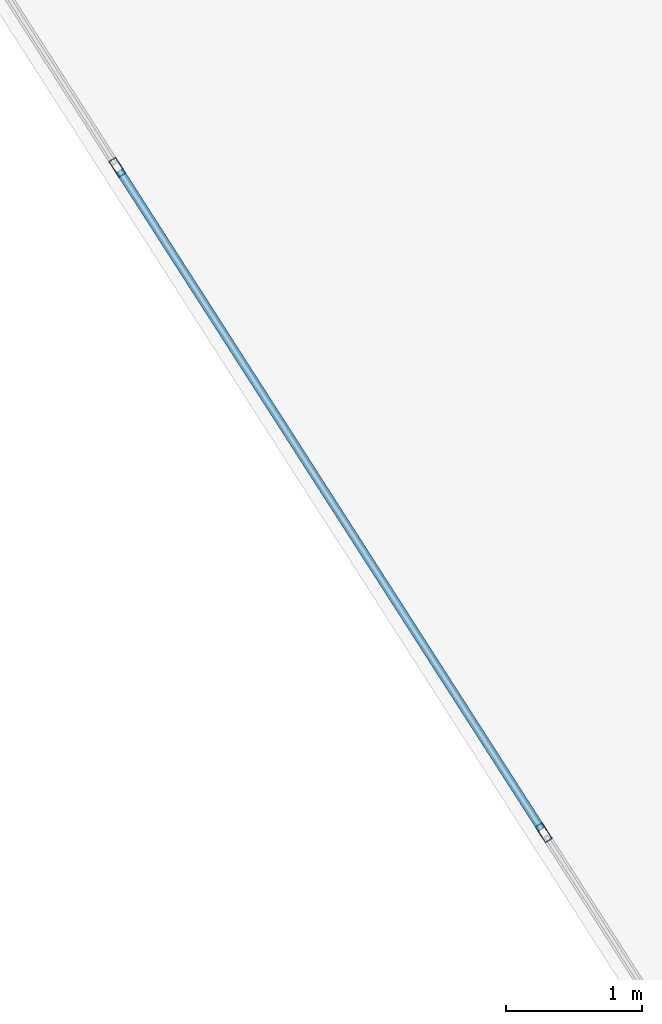
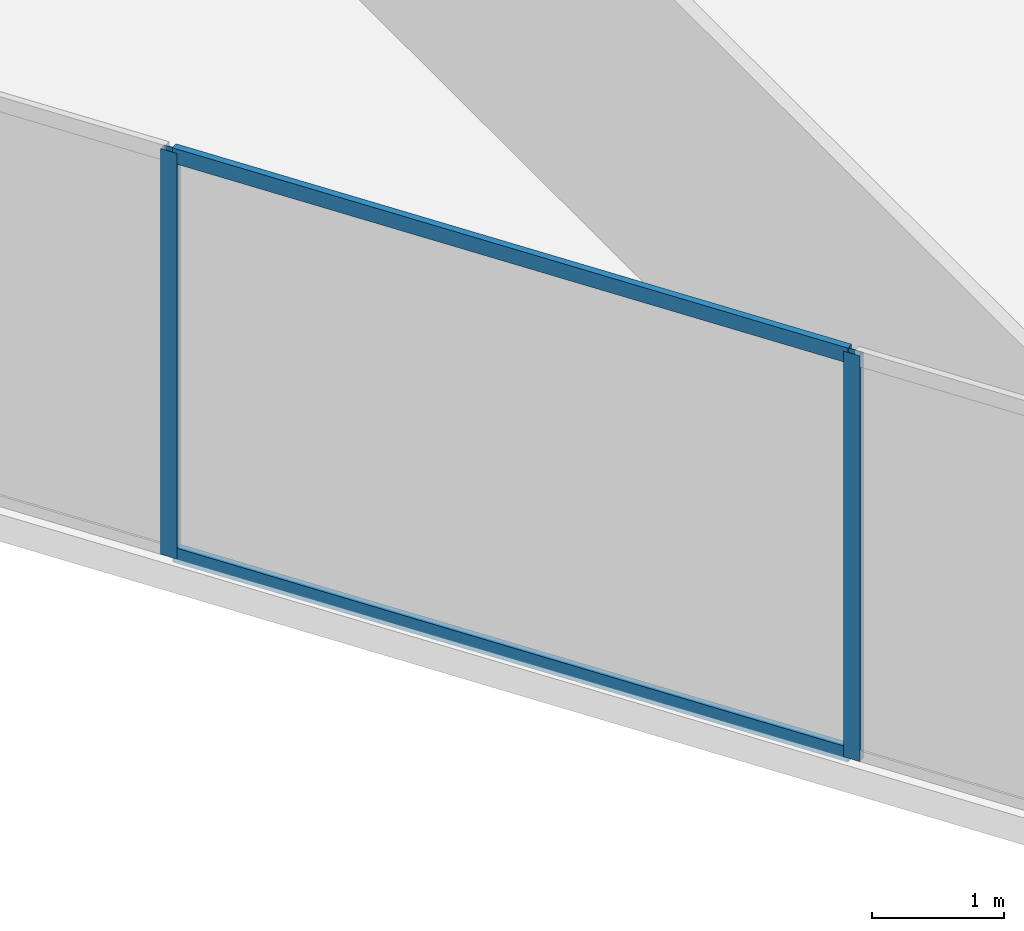
# One storey, part 17 of 26: 4 members, 1 element without a shape of its own.
"""IFC4 building model written with IfcOpenShell, lengths in metres."""

from ifc_helpers import new_model, si_unit, direction, frame, origin, origin_2d, place, context, subcontext, project, spatial, hollow_rectangle, extrude, material, layer, layer_set, material_profile, profile_set, type_object, element, aggregate, save


model = new_model("IFC4")

# Units and contexts
model_context = context("Model", 3, precision=1e-05, world=origin(), true_north=direction((0.0, 1.0)))
body_context = subcontext(model_context, "Body", "Model", "MODEL_VIEW")
ifc_project = project(units=[si_unit("LENGTHUNIT", "METRE"), si_unit("AREAUNIT", "SQUARE_METRE"), si_unit("VOLUMEUNIT", "CUBIC_METRE"), si_unit("PLANEANGLEUNIT", "RADIAN"), si_unit("MASSUNIT", "GRAM", prefix="KILO")], contexts=[model_context])

# Site, building, storey
site_placement = place(None, origin())
site = spatial("IfcSite", under=ifc_project, at=site_placement, CompositionType="ELEMENT")
building_placement = place(site_placement, origin())
building = spatial("IfcBuilding", under=site, at=building_placement, Name="Kravanh Interchange Tower", CompositionType="ELEMENT")
storey_placement = place(building_placement, frame((0.0, 0.0, 132.0)))
storey = spatial("IfcBuildingStorey", under=building, at=storey_placement, Name="L31", CompositionType="ELEMENT", Elevation=132.0)

# Curtain wall, members
ifc_material_1 = material(Name="Anodised Bronze Aluminium", Category="aluminium")
ifc_layer = layer(ifc_material_1, 0.179931640625)
ifc_layer_set = layer_set([ifc_layer], Name="Unitised Curtain Wall System CW-Z2 Mid Office")
curtain_wall_type = type_object("IfcCurtainWallType", Name="Unitised Curtain Wall System CW-Z2 Mid Office", PredefinedType="NOTDEFINED", material=ifc_layer_set)
curtain_wall_placement = place(storey_placement, origin())
curtain_wall = element("IfcCurtainWall", 1, at=curtain_wall_placement, inside=storey, type_object=curtain_wall_type, Name="L31 Unitised Curtain Wall CW-L31-04", PredefinedType="NOTDEFINED")
ifc_material_2 = material(Name="Anodised Bronze Aluminium", Category="aluminium")
ifc_material_profile_1 = material_profile(ifc_material_2, hollow_rectangle(XDim=0.06005859375, YDim=0.139892578125, WallThickness=0.00390625, at=origin_2d()), Name="ALU60X140X4")
ifc_profile_set_1 = profile_set([ifc_material_profile_1], Name="Anodised Bronze Aluminium")
member_type_1 = type_object("IfcMemberType", Name="Curtain Wall Mullion ALU60X140X4 Bronze", PredefinedType="MULLION", material=ifc_profile_set_1)
member_1_placement = place(storey_placement, frame((45.8828125, 16.12109375, 0.0), z_axis=(0.0, 0.0, 1.0), x_axis=(-0.841879939476, -0.539664865919, 0.0)))
member_1 = element("IfcMember", 2, at=member_1_placement, type_object=member_type_1, Name="CW-Z2 mullion 3", PredefinedType="MULLION", context=body_context, shape_type="SweptSolid", body=[
    extrude(hollow_rectangle(XDim=0.06005859375, YDim=0.139892578125, WallThickness=0.00390625, at=origin_2d()), origin(), (0.0, 0.0, 1.0), 3.75),
])
member_2_placement = place(storey_placement, frame((42.741455078125, 21.021728515625, 0.0), z_axis=(0.0, 0.0, 1.0), x_axis=(-0.841879939476, -0.539664865919, 0.0)))
member_2 = element("IfcMember", 3, at=member_2_placement, type_object=member_type_1, Name="CW-Z2 mullion 4", PredefinedType="MULLION", context=body_context, shape_type="SweptSolid", body=[
    extrude(hollow_rectangle(XDim=0.06005859375, YDim=0.139892578125, WallThickness=0.00390625, at=origin_2d()), origin(), (0.0, 0.0, 1.0), 3.75),
])
ifc_material_3 = material(Name="Anodised Bronze Aluminium", Category="aluminium")
ifc_material_profile_2 = material_profile(ifc_material_3, hollow_rectangle(XDim=0.06005859375, YDim=0.139892578125, WallThickness=0.00390625, at=origin_2d()), Name="ALU60X140X4")
ifc_profile_set_2 = profile_set([ifc_material_profile_2], Name="Anodised Bronze Aluminium")
member_type_2 = type_object("IfcMemberType", Name="Curtain Wall Transom ALU60X140X4 Bronze", PredefinedType="USERDEFINED", material=ifc_profile_set_2)
member_3_placement = place(storey_placement, frame((45.86669921875, 16.146484375, 0.030029296875), z_axis=(-0.539677666788, 0.84187173368, 0.0), x_axis=(-0.84187173368, -0.539677666788, 0.0)))
member_3 = element("IfcMember", 4, at=member_3_placement, type_object=member_type_2, Name="CW-Z2 transom 3.1", ObjectType="TRANSOM", PredefinedType="USERDEFINED", context=body_context, shape_type="SweptSolid", body=[
    extrude(hollow_rectangle(XDim=0.06005859375, YDim=0.139892578125, WallThickness=0.00390625, at=origin_2d()), origin(), (0.0, 0.0, 1.0), 5.760986328125),
])
member_4_placement = place(storey_placement, frame((45.86669921875, 16.146484375, 3.719970703125), z_axis=(-0.539677666788, 0.84187173368, 0.0), x_axis=(-0.84187173368, -0.539677666788, 0.0)))
member_4 = element("IfcMember", 5, at=member_4_placement, type_object=member_type_2, Name="CW-Z2 transom 3.2", ObjectType="TRANSOM", PredefinedType="USERDEFINED", context=body_context, shape_type="SweptSolid", body=[
    extrude(hollow_rectangle(XDim=0.06005859375, YDim=0.139892578125, WallThickness=0.00390625, at=origin_2d()), origin(), (0.0, 0.0, 1.0), 5.760986328125),
])
aggregate(curtain_wall, [member_1, member_2, member_3, member_4])

save(model, "model.ifc")
